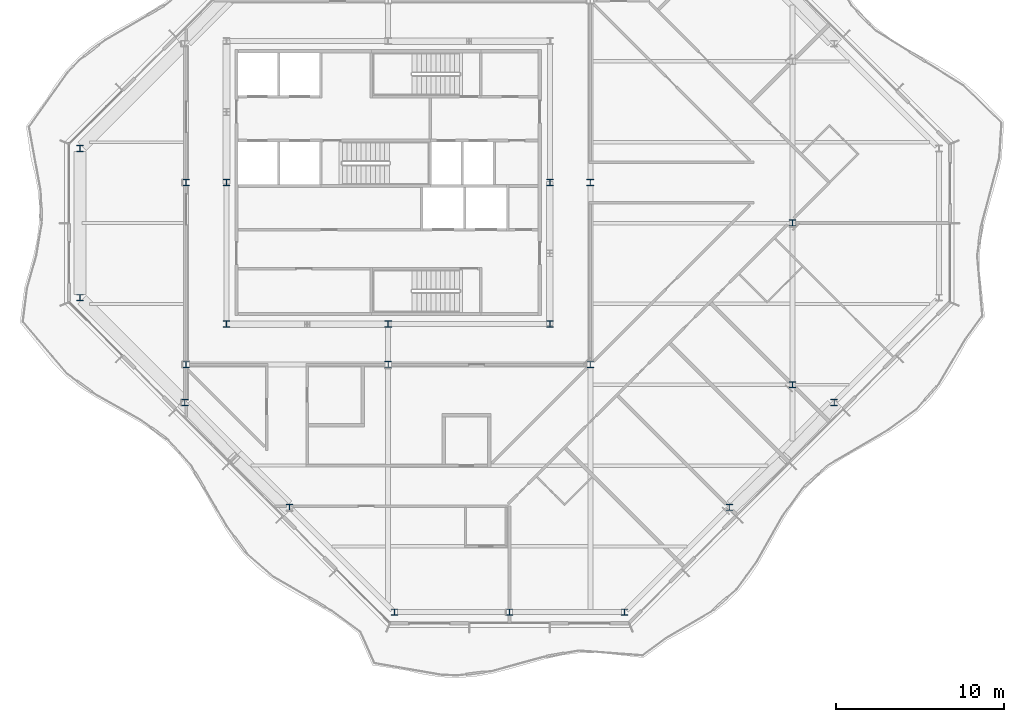
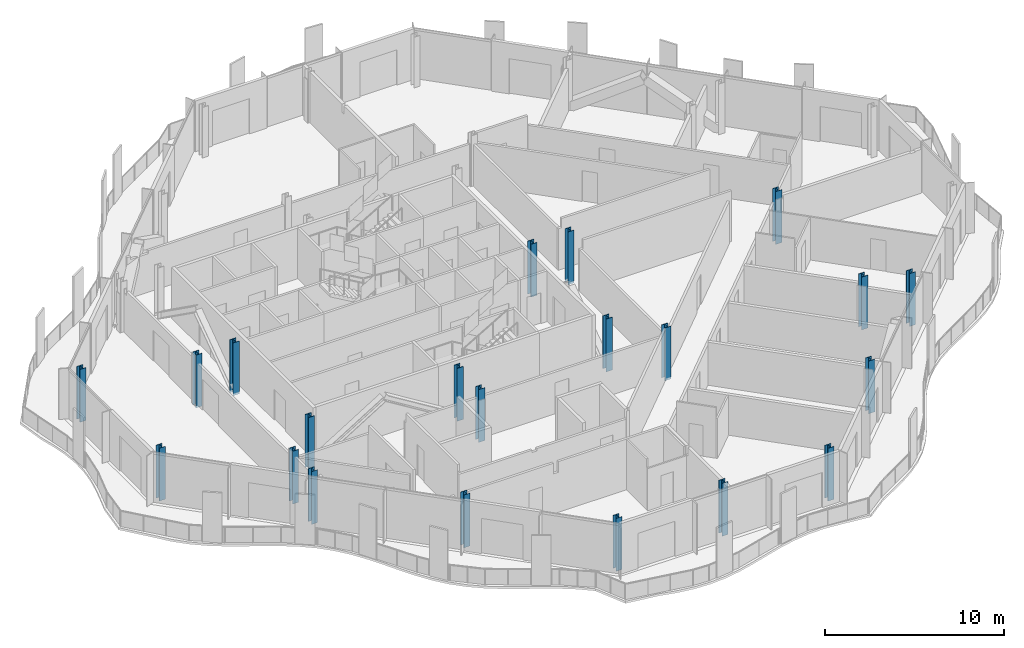
# One storey, part 1 of 17: 21 columns.
"""IFC4 building model written with IfcOpenShell, lengths in metres."""

from ifc_helpers import new_model, si_unit, direction, frame, origin, origin_2d, place, context, subcontext, project, spatial, i_section, extrude, material, material_profile, profile_set, type_object, element, save


model = new_model("IFC4")

# Units and contexts
model_context = context("Model", 3, precision=1e-05, world=origin(), true_north=direction((0.0, 1.0)))
body_context = subcontext(model_context, "Body", "Model", "MODEL_VIEW")
ifc_project = project(units=[si_unit("LENGTHUNIT", "METRE"), si_unit("AREAUNIT", "SQUARE_METRE"), si_unit("VOLUMEUNIT", "CUBIC_METRE"), si_unit("PLANEANGLEUNIT", "RADIAN"), si_unit("MASSUNIT", "GRAM", prefix="KILO")], contexts=[model_context])

# Site, building, storey
site_placement = place(None, origin())
site = spatial("IfcSite", under=ifc_project, at=site_placement, CompositionType="ELEMENT")
building_placement = place(site_placement, origin())
building = spatial("IfcBuilding", under=site, at=building_placement, Name="Cairn Pilgrim Tower", CompositionType="ELEMENT")
storey_placement = place(building_placement, frame((0.0, 0.0, 281.39990234375)))
storey = spatial("IfcBuildingStorey", under=building, at=storey_placement, Name="L72", CompositionType="ELEMENT", Elevation=281.39990234375)

# Columns
ifc_material = material(Name="Structural steel S355J2", Category="steel")
ifc_material_profile_1 = material_profile(ifc_material, i_section(OverallWidth=0.39111328125, OverallDepth=0.367919921875, WebThickness=0.014892578125, FlangeThickness=0.02392578125, FilletRadius=0.014892578125, at=origin_2d()), Name="HD 400x187")
ifc_profile_set_1 = profile_set([ifc_material_profile_1], Name="Structural steel S355J2")
column_type_1 = type_object("IfcColumnType", Name="HD 400x187", PredefinedType="COLUMN", material=ifc_profile_set_1)
for number, where, z_axis, x_axis, name in (
    (1, (7.57275390625, -23.10009765625, -0.14990234375), (0.0, 0.0, 1.0), (1.0, 0.0, 0.0), "PC4-S1"),
    (2, (14.39990234375, -23.10009765625, -0.14990234375), (0.0, 0.0, 1.0), (1.0, 0.0, 0.0), "PC4-S2"),
    (3, (21.227294921875, -23.10009765625, -0.14990234375), (0.0, 0.0, 1.0), (1.0, 0.0, 0.0), "PC4-SE1"),
    (4, (27.451416015625, -16.875732421875, -0.14990234375), (0.0, 0.0, 1.0), (1.0, 0.0, 0.0), "PC4-SE2"),
    (5, (33.67578125, -10.651611328125, -0.14990234375), (0.0, 0.0, 1.0), (1.0, 0.0, 0.0), "PC4-SE3"),
    (6, (-11.10009765625, 4.42724609375, -0.14990234375), (0.0, 0.0, 1.0), (1.0, 0.0, 0.0), "PC4-W1"),
    (7, (-11.10009765625, -4.42724609375, -0.14990234375), (0.0, 0.0, 1.0), (1.0, 0.0, 0.0), "PC4-SW1"),
    (8, (-4.875732421875, -10.651611328125, -0.14990234375), (0.0, 0.0, 1.0), (1.0, 0.0, 0.0), "PC4-SW2"),
    (9, (1.348388671875, -16.875732421875, -0.14990234375), (0.0, 0.0, 1.0), (1.0, 0.0, 0.0), "PC4-SW3"),
):
    element("IfcColumn", number, at=place(storey_placement, frame(where, z_axis=z_axis, x_axis=x_axis)), inside=storey, type_object=column_type_1, Name=name, PredefinedType="COLUMN", context=body_context, shape_type="SweptSolid", body=[
        extrude(i_section(OverallWidth=0.39111328125, OverallDepth=0.367919921875, WebThickness=0.014892578125, FlangeThickness=0.02392578125, FilletRadius=0.014892578125, at=origin_2d()), origin(), (0.0, 0.0, 1.0), 3.60009765625),
    ])
ifc_material_profile_2 = material_profile(ifc_material, i_section(OverallWidth=0.39404296875, OverallDepth=0.375, WebThickness=0.017333984375, FlangeThickness=0.027587890625, FilletRadius=0.014892578125, at=origin_2d()), Name="HD 400x216")
ifc_profile_set_2 = profile_set([ifc_material_profile_2], Name="Structural steel S355J2")
column_type_2 = type_object("IfcColumnType", Name="HD 400x216", PredefinedType="COLUMN", material=ifc_profile_set_2)
for number, where, z_axis, x_axis, name in (
    (10, (-4.800048828125, -8.39990234375, -0.14990234375), (0.0, 0.0, 1.0), (1.0, 0.0, 0.0), "IC-1"),
    (11, (7.199951171875, -8.39990234375, -0.14990234375), (0.0, 0.0, 1.0), (1.0, 0.0, 0.0), "IC-2"),
    (12, (19.199951171875, -8.39990234375, -0.14990234375), (0.0, 0.0, 1.0), (1.0, 0.0, 0.0), "IC-3"),
    (13, (-4.800048828125, 2.39990234375, -0.14990234375), (0.0, 0.0, 1.0), (1.0, 0.0, 0.0), "IC-4"),
    (14, (19.199951171875, 2.39990234375, -0.14990234375), (0.0, 0.0, 1.0), (1.0, 0.0, 0.0), "IC-5"),
    (15, (31.199951171875, -9.60009765625, -0.14990234375), (0.0, 0.0, 1.0), (1.0, 0.0, 0.0), "WC-WE-2"),
    (16, (31.199951171875, 0.0, -0.14990234375), (0.0, 0.0, 1.0), (1.0, 0.0, 0.0), "WC-WE+0"),
):
    element("IfcColumn", number, at=place(storey_placement, frame(where, z_axis=z_axis, x_axis=x_axis)), inside=storey, type_object=column_type_2, Name=name, PredefinedType="COLUMN", context=body_context, shape_type="SweptSolid", body=[
        extrude(i_section(OverallWidth=0.39404296875, OverallDepth=0.375, WebThickness=0.017333984375, FlangeThickness=0.027587890625, FilletRadius=0.014892578125, at=origin_2d()), origin(), (0.0, 0.0, 1.0), 3.60009765625),
    ])
ifc_material_profile_3 = material_profile(ifc_material, i_section(OverallWidth=0.39794921875, OverallDepth=0.386962890625, WebThickness=0.02099609375, FlangeThickness=0.033203125, FilletRadius=0.014892578125, at=origin_2d()), Name="HD 400x262")
ifc_profile_set_3 = profile_set([ifc_material_profile_3], Name="Structural steel S355J2")
column_type_3 = type_object("IfcColumnType", Name="HD 400x262", PredefinedType="COLUMN", material=ifc_profile_set_3)
for number, where, z_axis, x_axis, name in (
    (17, (-2.39990234375, -6.0, -0.14990234375), (0.0, 0.0, 1.0), (1.0, 0.0, 0.0), "KC-1"),
    (18, (7.199951171875, -6.0, -0.14990234375), (0.0, 0.0, 1.0), (1.0, 0.0, 0.0), "KC-2"),
    (19, (16.800048828125, -6.0, -0.14990234375), (0.0, 0.0, 1.0), (1.0, 0.0, 0.0), "KC-3"),
    (20, (-2.39990234375, 2.39990234375, -0.14990234375), (0.0, 0.0, 1.0), (1.0, 0.0, 0.0), "KC-4"),
    (21, (16.800048828125, 2.39990234375, -0.14990234375), (0.0, 0.0, 1.0), (1.0, 0.0, 0.0), "KC-5"),
):
    element("IfcColumn", number, at=place(storey_placement, frame(where, z_axis=z_axis, x_axis=x_axis)), inside=storey, type_object=column_type_3, Name=name, PredefinedType="COLUMN", context=body_context, shape_type="SweptSolid", body=[
        extrude(i_section(OverallWidth=0.39794921875, OverallDepth=0.386962890625, WebThickness=0.02099609375, FlangeThickness=0.033203125, FilletRadius=0.014892578125, at=origin_2d()), origin(), (0.0, 0.0, 1.0), 3.60009765625),
    ])

save(model, "model.ifc")
